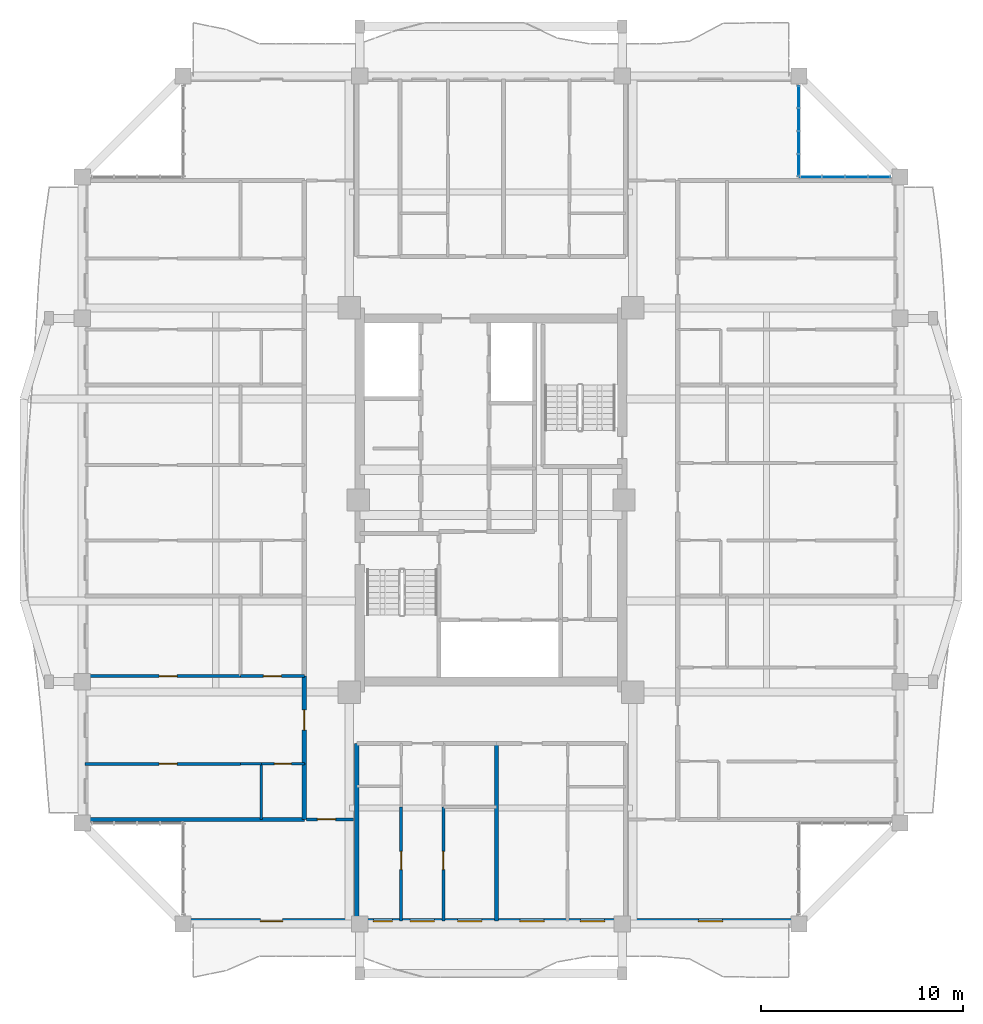
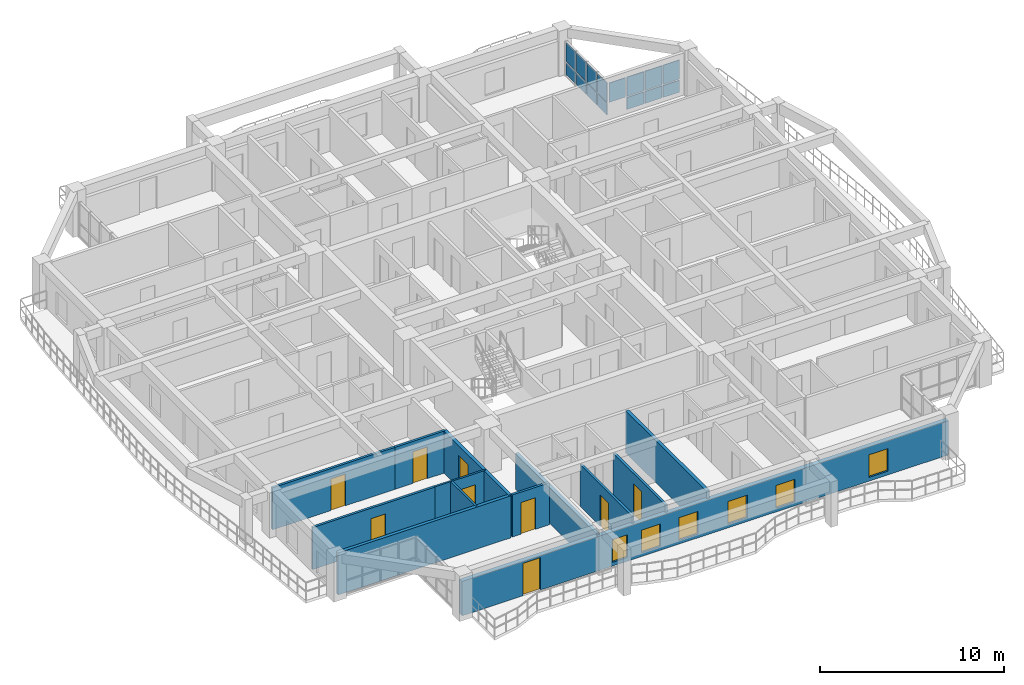
# One storey, part 10 of 22: 15 plates, 15 walls, 9 doors, 6 windows, 15 openings, 2 elements without a shape of their own.
"""IFC4 building model written with IfcOpenShell, lengths in metres."""

from ifc_helpers import new_model, si_unit, direction, frame, frame_2d, origin, origin_2d, place, context, subcontext, project, spatial, rectangle, extrude, source, transform, mapped, material, layer, layer_set, type_object, element, fill, aggregate, save


model = new_model("IFC4")

# Units and contexts
model_context = context("Model", 3, precision=1e-05, world=origin(), true_north=direction((0.0, 1.0)))
body_context = subcontext(model_context, "Body", "Model", "MODEL_VIEW")
ifc_project = project(units=[si_unit("LENGTHUNIT", "METRE"), si_unit("AREAUNIT", "SQUARE_METRE"), si_unit("VOLUMEUNIT", "CUBIC_METRE"), si_unit("PLANEANGLEUNIT", "RADIAN"), si_unit("MASSUNIT", "GRAM", prefix="KILO")], contexts=[model_context])

# Site, building, storey
site_placement = place(None, origin())
site = spatial("IfcSite", under=ifc_project, at=site_placement, CompositionType="ELEMENT")
building_placement = place(site_placement, origin())
building = spatial("IfcBuilding", under=site, at=building_placement, Name="Saelheon Loggia Tower", CompositionType="ELEMENT")
storey_placement = place(building_placement, frame((0.0, 0.0, 176.800048828125)))
storey = spatial("IfcBuildingStorey", under=building, at=storey_placement, Name="L55", CompositionType="ELEMENT", Elevation=176.800048828125)

# Curtain wall, plates
ifc_material_1 = material(Name="High-Wind Aluminium and Triple Laminated Glass", Category="aluminium")
ifc_layer_1 = layer(ifc_material_1, 0.179931640625)
ifc_layer_set_1 = layer_set([ifc_layer_1], Name="High-Wind Aluminium and Triple Laminated Glass")
curtain_wall_type = type_object("IfcCurtainWallType", Name="CW_TowerLoggiaHigh", PredefinedType="NOTDEFINED", material=ifc_layer_set_1)
curtain_wall_1_placement = place(storey_placement, origin())
curtain_wall_1 = element("IfcCurtainWall", 1, at=curtain_wall_1_placement, inside=storey, type_object=curtain_wall_type, Name="L55 Corner Notch Glazing NE1", PredefinedType="NOTDEFINED")
ifc_material_2 = material(Name="Triple Low-E Laminated Glazing", Category="glass")
ifc_layer_2 = layer(ifc_material_2, 0.0439453125)
ifc_layer_set_2 = layer_set([ifc_layer_2], Name="Triple Low-E Laminated Glazing")
plate_type = type_object("IfcPlateType", Name="CW_TowerLoggiaHigh_Panel", PredefinedType="CURTAIN_PANEL", material=ifc_layer_set_2)
shared_shape_1 = source(origin(), body_context, "Body", "SweptSolid", [
    extrude(rectangle(XDim=1.034912109375, YDim=0.0439453125, at=origin_2d()), origin(), (0.0, 0.0, 1.0), 0.794921875),
])
plate_1_placement = place(storey_placement, frame((53.25, 43.58740234375, 0.070068359375), z_axis=(0.0, 0.0, 1.0), x_axis=(0.0, 1.0, 0.0)))
plate_1 = element("IfcPlate", 2, at=plate_1_placement, type_object=plate_type, Name="CW4 panel 1.1", PredefinedType="CURTAIN_PANEL", context=body_context, shape_type="MappedRepresentation", body=[
    mapped(shared_shape_1, transform((0.0, 0.0, 0.0), scale=1.0)),
])
plate_2_placement = place(storey_placement, frame((53.25, 46.972412109375, 0.070068359375), z_axis=(0.0, 0.0, 1.0), x_axis=(0.0, 1.0, 0.0)))
plate_2 = element("IfcPlate", 3, at=plate_2_placement, type_object=plate_type, Name="CW4 panel 4.1", PredefinedType="CURTAIN_PANEL", context=body_context, shape_type="MappedRepresentation", body=[
    mapped(shared_shape_1, transform((0.0, 0.0, 0.0), scale=1.0)),
])

# Curtain wall, plate
curtain_wall_2_placement = place(storey_placement, origin())
curtain_wall_2 = element("IfcCurtainWall", 4, at=curtain_wall_2_placement, inside=storey, type_object=curtain_wall_type, Name="L55 Corner Notch Glazing NE2", PredefinedType="NOTDEFINED")
plate_3_placement = place(storey_placement, frame((57.222412109375, 43.0, 0.070068359375), z_axis=(0.0, 0.0, 1.0), x_axis=(1.0, 0.0, 0.0)))
plate_3 = element("IfcPlate", 5, at=plate_3_placement, type_object=plate_type, Name="CW4 panel 4.1", PredefinedType="CURTAIN_PANEL", context=body_context, shape_type="MappedRepresentation", body=[
    mapped(shared_shape_1, transform((0.0, 0.0, 0.0), scale=1.0)),
])

# Plate
shared_shape_2 = source(origin(), body_context, "Body", "SweptSolid", [
    extrude(rectangle(XDim=1.034912109375, YDim=0.0439453125, at=origin_2d()), origin(), (0.0, 0.0, 1.0), 1.27490234375),
])
plate_4_placement = place(storey_placement, frame((53.25, 43.58740234375, 0.93505859375), z_axis=(0.0, 0.0, 1.0), x_axis=(0.0, 1.0, 0.0)))
plate_4 = element("IfcPlate", 6, at=plate_4_placement, type_object=plate_type, Name="CW4 panel 1.2", PredefinedType="CURTAIN_PANEL", context=body_context, shape_type="MappedRepresentation", body=[
    mapped(shared_shape_2, transform((0.0, 0.0, 0.0), scale=1.0)),
])

plate_5_placement = place(storey_placement, frame((53.25, 46.972412109375, 0.93505859375), z_axis=(0.0, 0.0, 1.0), x_axis=(0.0, 1.0, 0.0)))
plate_5 = element("IfcPlate", 7, at=plate_5_placement, type_object=plate_type, Name="CW4 panel 4.2", PredefinedType="CURTAIN_PANEL", context=body_context, shape_type="MappedRepresentation", body=[
    mapped(shared_shape_2, transform((0.0, 0.0, 0.0), scale=1.0)),
])

plate_6_placement = place(storey_placement, frame((53.83740234375, 43.0, 0.93505859375), z_axis=(0.0, 0.0, 1.0), x_axis=(1.0, 0.0, 0.0)))
plate_6 = element("IfcPlate", 8, at=plate_6_placement, type_object=plate_type, Name="CW4 panel 1.2", PredefinedType="CURTAIN_PANEL", context=body_context, shape_type="MappedRepresentation", body=[
    mapped(shared_shape_2, transform((0.0, 0.0, 0.0), scale=1.0)),
])

plate_7_placement = place(storey_placement, frame((57.222412109375, 43.0, 0.93505859375), z_axis=(0.0, 0.0, 1.0), x_axis=(1.0, 0.0, 0.0)))
plate_7 = element("IfcPlate", 9, at=plate_7_placement, type_object=plate_type, Name="CW4 panel 4.2", PredefinedType="CURTAIN_PANEL", context=body_context, shape_type="MappedRepresentation", body=[
    mapped(shared_shape_2, transform((0.0, 0.0, 0.0), scale=1.0)),
])

shared_shape_3 = source(origin(), body_context, "Body", "SweptSolid", [
    extrude(rectangle(XDim=1.070068359375, YDim=0.0439453125, at=origin_2d()), origin(), (0.0, 0.0, 1.0), 0.794921875),
])
plate_8_placement = place(storey_placement, frame((53.25, 44.7099609375, 0.070068359375), z_axis=(0.0, 0.0, 1.0), x_axis=(0.0, 1.0, 0.0)))
plate_8 = element("IfcPlate", 10, at=plate_8_placement, type_object=plate_type, Name="CW4 panel 2.1", PredefinedType="CURTAIN_PANEL", context=body_context, shape_type="MappedRepresentation", body=[
    mapped(shared_shape_3, transform((0.0, 0.0, 0.0), scale=1.0)),
])

plate_9_placement = place(storey_placement, frame((53.25, 45.85009765625, 0.070068359375), z_axis=(0.0, 0.0, 1.0), x_axis=(0.0, 1.0, 0.0)))
plate_9 = element("IfcPlate", 11, at=plate_9_placement, type_object=plate_type, Name="CW4 panel 3.1", PredefinedType="CURTAIN_PANEL", context=body_context, shape_type="MappedRepresentation", body=[
    mapped(shared_shape_3, transform((0.0, 0.0, 0.0), scale=1.0)),
])

plate_10_placement = place(storey_placement, frame((54.9599609375, 43.0, 0.070068359375), z_axis=(0.0, 0.0, 1.0), x_axis=(1.0, 0.0, 0.0)))
plate_10 = element("IfcPlate", 12, at=plate_10_placement, type_object=plate_type, Name="CW4 panel 2.1", PredefinedType="CURTAIN_PANEL", context=body_context, shape_type="MappedRepresentation", body=[
    mapped(shared_shape_3, transform((0.0, 0.0, 0.0), scale=1.0)),
])

plate_11_placement = place(storey_placement, frame((56.10009765625, 43.0, 0.070068359375), z_axis=(0.0, 0.0, 1.0), x_axis=(1.0, 0.0, 0.0)))
plate_11 = element("IfcPlate", 13, at=plate_11_placement, type_object=plate_type, Name="CW4 panel 3.1", PredefinedType="CURTAIN_PANEL", context=body_context, shape_type="MappedRepresentation", body=[
    mapped(shared_shape_3, transform((0.0, 0.0, 0.0), scale=1.0)),
])

shared_shape_4 = source(origin(), body_context, "Body", "SweptSolid", [
    extrude(rectangle(XDim=1.070068359375, YDim=0.0439453125, at=origin_2d()), origin(), (0.0, 0.0, 1.0), 1.27490234375),
])
plate_12_placement = place(storey_placement, frame((53.25, 44.7099609375, 0.93505859375), z_axis=(0.0, 0.0, 1.0), x_axis=(0.0, 1.0, 0.0)))
plate_12 = element("IfcPlate", 14, at=plate_12_placement, type_object=plate_type, Name="CW4 panel 2.2", PredefinedType="CURTAIN_PANEL", context=body_context, shape_type="MappedRepresentation", body=[
    mapped(shared_shape_4, transform((0.0, 0.0, 0.0), scale=1.0)),
])

plate_13_placement = place(storey_placement, frame((53.25, 45.85009765625, 0.93505859375), z_axis=(0.0, 0.0, 1.0), x_axis=(0.0, 1.0, 0.0)))
plate_13 = element("IfcPlate", 15, at=plate_13_placement, type_object=plate_type, Name="CW4 panel 3.2", PredefinedType="CURTAIN_PANEL", context=body_context, shape_type="MappedRepresentation", body=[
    mapped(shared_shape_4, transform((0.0, 0.0, 0.0), scale=1.0)),
])

aggregate(curtain_wall_1, [plate_1, plate_4, plate_8, plate_12, plate_9, plate_13, plate_2, plate_5])

plate_14_placement = place(storey_placement, frame((54.9599609375, 43.0, 0.93505859375), z_axis=(0.0, 0.0, 1.0), x_axis=(1.0, 0.0, 0.0)))
plate_14 = element("IfcPlate", 16, at=plate_14_placement, type_object=plate_type, Name="CW4 panel 2.2", PredefinedType="CURTAIN_PANEL", context=body_context, shape_type="MappedRepresentation", body=[
    mapped(shared_shape_4, transform((0.0, 0.0, 0.0), scale=1.0)),
])

plate_15_placement = place(storey_placement, frame((56.10009765625, 43.0, 0.93505859375), z_axis=(0.0, 0.0, 1.0), x_axis=(1.0, 0.0, 0.0)))
plate_15 = element("IfcPlate", 17, at=plate_15_placement, type_object=plate_type, Name="CW4 panel 3.2", PredefinedType="CURTAIN_PANEL", context=body_context, shape_type="MappedRepresentation", body=[
    mapped(shared_shape_4, transform((0.0, 0.0, 0.0), scale=1.0)),
])

aggregate(curtain_wall_2, [plate_6, plate_10, plate_14, plate_11, plate_15, plate_3, plate_7])

# Wall, openings, windows, door
ifc_material_3 = material(Name="Architectural Precast Concrete C40/50", Category="concrete")
ifc_layer_3 = layer(ifc_material_3, 0.280029296875)
ifc_layer_set_3 = layer_set([ifc_layer_3], Name="Architectural Precast Concrete C40/50")
wall_type_1 = type_object("IfcWallType", Name="Wall_Ext_Loggia_280", PredefinedType="SOLIDWALL", material=ifc_layer_set_3)
wall_1_placement = place(storey_placement, frame((22.75, 6.139892578125, 0.0), z_axis=(0.0, 0.0, 1.0), x_axis=(1.0, 0.0, 0.0)))
wall_1 = element("IfcWall", 18, at=wall_1_placement, inside=storey, type_object=wall_type_1, Name="L55 South Loggia Inner Wall", PredefinedType="SOLIDWALL", context=body_context, shape_type="SweptSolid", body=[
    extrude(rectangle(XDim=30.5, YDim=0.280029296875, at=frame_2d((15.25, 0.0))), origin(), (0.0, 0.0, 1.0), 2.280029296875),
])
opening_1_placement = place(wall_1_placement, frame((4.925048828125, 0.0, 0.0), z_axis=(0.0, 0.0, 1.0), x_axis=(-1.0, 0.0, 0.0)))
opening_1 = element("IfcOpeningElement", 19, at=opening_1_placement, cuts=wall_1, Name="Opening TD1", PredefinedType="OPENING", context=body_context, shape_type="SweptSolid", body=[
    extrude(rectangle(XDim=1.10009765625, YDim=2.14990234375, at=frame_2d((0.550048828125, 1.074951171875))), frame((0.0, 0.152099609375, 0.0), z_axis=(0.0, -1.0, 0.0), x_axis=(1.0, 0.0, 0.0)), (0.0, 0.0, 1.0), 0.303955078125),
])
opening_2_placement = place(wall_1_placement, frame((9.419921875, 0.0, 0.25)))
opening_2 = element("IfcOpeningElement", 20, at=opening_2_placement, cuts=wall_1, Name="Opening WN-04", PredefinedType="OPENING", context=body_context, shape_type="SweptSolid", body=[
    extrude(rectangle(XDim=0.949951171875, YDim=1.5, at=frame_2d((0.47509765625, 0.75))), frame((0.0, 0.152099609375, 0.0), z_axis=(0.0, -1.0, 0.0), x_axis=(1.0, 0.0, 0.0)), (0.0, 0.0, 1.0), 0.303955078125),
])
opening_3_placement = place(wall_1_placement, frame((11.243896484375, 0.0, 0.25)))
opening_3 = element("IfcOpeningElement", 21, at=opening_3_placement, cuts=wall_1, Name="Opening WN-03", PredefinedType="OPENING", context=body_context, shape_type="SweptSolid", body=[
    extrude(rectangle(XDim=1.199951171875, YDim=1.5, at=frame_2d((0.60009765625, 0.75))), frame((0.0, 0.152099609375, 0.0), z_axis=(0.0, -1.0, 0.0), x_axis=(1.0, 0.0, 0.0)), (0.0, 0.0, 1.0), 0.303955078125),
])
opening_4_placement = place(wall_1_placement, frame((13.60205078125, 0.0, 0.25)))
opening_4 = element("IfcOpeningElement", 22, at=opening_4_placement, cuts=wall_1, Name="Opening WN-03", PredefinedType="OPENING", context=body_context, shape_type="SweptSolid", body=[
    extrude(rectangle(XDim=1.199951171875, YDim=1.5, at=frame_2d((0.60009765625, 0.75))), frame((0.0, 0.152099609375, 0.0), z_axis=(0.0, -1.0, 0.0), x_axis=(1.0, 0.0, 0.0)), (0.0, 0.0, 1.0), 0.303955078125),
])
opening_5_placement = place(wall_1_placement, frame((16.68310546875, 0.0, 0.25)))
opening_5 = element("IfcOpeningElement", 23, at=opening_5_placement, cuts=wall_1, Name="Opening WN-03", PredefinedType="OPENING", context=body_context, shape_type="SweptSolid", body=[
    extrude(rectangle(XDim=1.199951171875, YDim=1.5, at=frame_2d((0.60009765625, 0.75))), frame((0.0, 0.152099609375, 0.0), z_axis=(0.0, -1.0, 0.0), x_axis=(1.0, 0.0, 0.0)), (0.0, 0.0, 1.0), 0.303955078125),
])
opening_6_placement = place(wall_1_placement, frame((19.679931640625, 0.0, 0.25)))
opening_6 = element("IfcOpeningElement", 24, at=opening_6_placement, cuts=wall_1, Name="Opening WN-03", PredefinedType="OPENING", context=body_context, shape_type="SweptSolid", body=[
    extrude(rectangle(XDim=1.199951171875, YDim=1.5, at=frame_2d((0.60009765625, 0.75))), frame((0.0, 0.152099609375, 0.0), z_axis=(0.0, -1.0, 0.0), x_axis=(1.0, 0.0, 0.0)), (0.0, 0.0, 1.0), 0.303955078125),
])
opening_7_placement = place(wall_1_placement, frame((25.52490234375, 0.0, 0.25)))
opening_7 = element("IfcOpeningElement", 25, at=opening_7_placement, cuts=wall_1, Name="Opening WN-03", PredefinedType="OPENING", context=body_context, shape_type="SweptSolid", body=[
    extrude(rectangle(XDim=1.199951171875, YDim=1.5, at=frame_2d((0.60009765625, 0.75))), frame((0.0, 0.152099609375, 0.0), z_axis=(0.0, -1.0, 0.0), x_axis=(1.0, 0.0, 0.0)), (0.0, 0.0, 1.0), 0.303955078125),
])
ifc_material_4 = material(Name="Thermal-Break Aluminium and Triple Low-E Glass", Category="aluminium")
window_type_1 = type_object("IfcWindowType", Name="Win_Bedroom_1200x1500", PartitioningType="SINGLE_PANEL", PredefinedType="WINDOW", material=ifc_material_4)
shared_shape_5 = source(origin(), body_context, "Body", "SweptSolid", [
    extrude(rectangle(XDim=1.199951171875, YDim=1.5, at=frame_2d((0.60009765625, 0.75))), frame((0.0, 0.030029296875, 0.0), z_axis=(0.0, -1.0, 0.0), x_axis=(1.0, 0.0, 0.0)), (0.0, 0.0, 1.0), 0.06005859375),
])
window_1_placement = place(opening_3_placement, origin())
window_1 = element("IfcWindow", 26, at=window_1_placement, inside=storey, type_object=window_type_1, Name="L55 S Dwelling Window 3", OverallHeight=1.5, OverallWidth=1.199951171875, PartitioningType="SINGLE_PANEL", PredefinedType="WINDOW", context=body_context, shape_type="MappedRepresentation", body=[
    mapped(shared_shape_5, transform((0.0, 0.0, 0.0), scale=1.0)),
])
fill(opening_3, window_1)
window_2_placement = place(opening_4_placement, origin())
window_2 = element("IfcWindow", 27, at=window_2_placement, inside=storey, type_object=window_type_1, Name="L55 S Dwelling Window 4", OverallHeight=1.5, OverallWidth=1.199951171875, PartitioningType="SINGLE_PANEL", PredefinedType="WINDOW", context=body_context, shape_type="MappedRepresentation", body=[
    mapped(shared_shape_5, transform((0.0, 0.0, 0.0), scale=1.0)),
])
fill(opening_4, window_2)
window_3_placement = place(opening_5_placement, origin())
window_3 = element("IfcWindow", 28, at=window_3_placement, inside=storey, type_object=window_type_1, Name="L55 S Dwelling Window 5", OverallHeight=1.5, OverallWidth=1.199951171875, PartitioningType="SINGLE_PANEL", PredefinedType="WINDOW", context=body_context, shape_type="MappedRepresentation", body=[
    mapped(shared_shape_5, transform((0.0, 0.0, 0.0), scale=1.0)),
])
fill(opening_5, window_3)
window_4_placement = place(opening_6_placement, origin())
window_4 = element("IfcWindow", 29, at=window_4_placement, inside=storey, type_object=window_type_1, Name="L55 S Dwelling Window 6", OverallHeight=1.5, OverallWidth=1.199951171875, PartitioningType="SINGLE_PANEL", PredefinedType="WINDOW", context=body_context, shape_type="MappedRepresentation", body=[
    mapped(shared_shape_5, transform((0.0, 0.0, 0.0), scale=1.0)),
])
fill(opening_6, window_4)
window_5_placement = place(opening_7_placement, origin())
window_5 = element("IfcWindow", 30, at=window_5_placement, inside=storey, type_object=window_type_1, Name="L55 S Dwelling Window 7", OverallHeight=1.5, OverallWidth=1.199951171875, PartitioningType="SINGLE_PANEL", PredefinedType="WINDOW", context=body_context, shape_type="MappedRepresentation", body=[
    mapped(shared_shape_5, transform((0.0, 0.0, 0.0), scale=1.0)),
])
fill(opening_7, window_5)
ifc_material_5 = material(Name="Thermal-Break Aluminium Glazed Door", Category="aluminium")
door_type_1 = type_object("IfcDoorType", Name="Door_Terrace_TD1", OperationType="NOTDEFINED", PredefinedType="DOOR", material=ifc_material_5)
shared_shape_6 = source(origin(), body_context, "Body", "SweptSolid", [
    extrude(rectangle(XDim=1.10009765625, YDim=2.14990234375, at=frame_2d((0.550048828125, 1.074951171875))), frame((0.0, 0.02490234375, 0.0), z_axis=(0.0, -1.0, 0.0), x_axis=(1.0, 0.0, 0.0)), (0.0, 0.0, 1.0), 0.050048828125),
])
door_1_placement = place(opening_1_placement, origin())
door_1 = element("IfcDoor", 31, at=door_1_placement, inside=storey, type_object=door_type_1, Name="L55 S Loggia Access Door", OperationType="SINGLE_SWING_LEFT", OverallHeight=2.14990234375, OverallWidth=1.10009765625, PredefinedType="DOOR", context=body_context, shape_type="MappedRepresentation", body=[
    mapped(shared_shape_6, transform((0.0, 0.0, 0.0), scale=1.0)),
])
fill(opening_1, door_1)
window_type_2 = type_object("IfcWindowType", Name="Win_Narrow_950x1500", PartitioningType="SINGLE_PANEL", PredefinedType="WINDOW", material=ifc_material_4)
shared_shape_7 = source(origin(), body_context, "Body", "SweptSolid", [
    extrude(rectangle(XDim=0.949951171875, YDim=1.5, at=frame_2d((0.47509765625, 0.75))), frame((0.0, 0.030029296875, 0.0), z_axis=(0.0, -1.0, 0.0), x_axis=(1.0, 0.0, 0.0)), (0.0, 0.0, 1.0), 0.06005859375),
])
window_6_placement = place(opening_2_placement, origin())
window_6 = element("IfcWindow", 32, at=window_6_placement, inside=storey, type_object=window_type_2, Name="L55 S Dwelling Window 2", OverallHeight=1.5, OverallWidth=0.949951171875, PartitioningType="SINGLE_PANEL", PredefinedType="WINDOW", context=body_context, shape_type="MappedRepresentation", body=[
    mapped(shared_shape_7, transform((0.0, 0.0, 0.0), scale=1.0)),
])
fill(opening_2, window_6)

# Wall, opening, door
ifc_material_6 = material(Name="Lightweight Autoclaved Aerated Concrete Block and Acoustic Gypsum", Category="concrete")
ifc_layer_4 = layer(ifc_material_6, 0.14990234375)
ifc_layer_set_4 = layer_set([ifc_layer_4], Name="Lightweight Autoclaved Aerated Concrete Block and Acoustic Gypsum")
wall_type_2 = type_object("IfcWallType", Name="Wall_Part_150", PredefinedType="PARTITIONING", material=ifc_layer_set_4)
wall_2_placement = place(storey_placement, frame((28.85009765625, 11.179931640625, 0.0), z_axis=(0.0, 0.0, 1.0), x_axis=(1.0, 0.0, 0.0)))
wall_2 = element("IfcWall", 33, at=wall_2_placement, inside=storey, type_object=wall_type_2, Name="PW-L55-CSW-H", PredefinedType="PARTITIONING", context=body_context, shape_type="SweptSolid", body=[
    extrude(rectangle(XDim=2.329833984375, YDim=0.14990234375, at=frame_2d((1.1650390625, 0.0))), origin(), (0.0, 0.0, 1.0), 2.7900390625),
])
opening_8_placement = place(wall_2_placement, frame((0.550048828125, 0.0, 0.0)))
opening_8 = element("IfcOpeningElement", 34, at=opening_8_placement, cuts=wall_2, Name="Opening D-IN2", PredefinedType="OPENING", context=body_context, shape_type="SweptSolid", body=[
    extrude(rectangle(XDim=0.89990234375, YDim=2.10009765625, at=frame_2d((0.449951171875, 1.050048828125))), frame((0.0, 0.0869140625, 0.0), z_axis=(0.0, -1.0, 0.0), x_axis=(1.0, 0.0, 0.0)), (0.0, 0.0, 1.0), 0.173828125),
])
ifc_material_7 = material(Name="Engineered Oak Flush Door", Category="timber")
door_type_2 = type_object("IfcDoorType", Name="Door_Int_900", OperationType="NOTDEFINED", PredefinedType="DOOR", material=ifc_material_7)
shared_shape_8 = source(origin(), body_context, "Body", "SweptSolid", [
    extrude(rectangle(XDim=0.89990234375, YDim=2.10009765625, at=frame_2d((0.449951171875, 1.050048828125))), frame((0.0, 0.02490234375, 0.0), z_axis=(0.0, -1.0, 0.0), x_axis=(1.0, 0.0, 0.0)), (0.0, 0.0, 1.0), 0.050048828125),
])
door_2_placement = place(opening_8_placement, origin())
door_2 = element("IfcDoor", 35, at=door_2_placement, inside=storey, type_object=door_type_2, Name="L55 Corner Home Office SW Door", OperationType="SINGLE_SWING_LEFT", OverallHeight=2.10009765625, OverallWidth=0.89990234375, PredefinedType="DOOR", context=body_context, shape_type="MappedRepresentation", body=[
    mapped(shared_shape_8, transform((0.0, 0.0, 0.0), scale=1.0)),
])
fill(opening_8, door_2)

wall_3_placement = place(storey_placement, frame((33.550048828125, 11.7900390625, 0.0), z_axis=(0.0, 0.0, 1.0), x_axis=(0.0, -1.0, 0.0)))
wall_3 = element("IfcWall", 36, at=wall_3_placement, inside=storey, type_object=wall_type_2, Name="L55 S Partition U10", PredefinedType="PARTITIONING", context=body_context, shape_type="SweptSolid", body=[
    extrude(rectangle(XDim=5.64013671875, YDim=0.14990234375, at=frame_2d((2.820068359375, 0.0))), origin(), (0.0, 0.0, 1.0), 2.7900390625),
])
opening_9_placement = place(wall_3_placement, frame((2.1923828125, 0.0, 0.0)))
opening_9 = element("IfcOpeningElement", 37, at=opening_9_placement, cuts=wall_3, Name="Opening D-IN2", PredefinedType="OPENING", context=body_context, shape_type="SweptSolid", body=[
    extrude(rectangle(XDim=0.89990234375, YDim=2.10009765625, at=frame_2d((0.449951171875, 1.050048828125))), frame((0.0, 0.0869140625, 0.0), z_axis=(0.0, -1.0, 0.0), x_axis=(1.0, 0.0, 0.0)), (0.0, 0.0, 1.0), 0.173828125),
])
door_3_placement = place(opening_9_placement, origin())
door_3 = element("IfcDoor", 38, at=door_3_placement, inside=storey, type_object=door_type_2, Name="Unit U01 Kitchen Door", OperationType="SINGLE_SWING_LEFT", OverallHeight=2.10009765625, OverallWidth=0.89990234375, PredefinedType="DOOR", context=body_context, shape_type="MappedRepresentation", body=[
    mapped(shared_shape_8, transform((0.0, 0.0, 0.0), scale=1.0)),
])
fill(opening_9, door_3)

wall_4_placement = place(storey_placement, frame((35.637939453125, 11.7900390625, 0.0), z_axis=(0.0, 0.0, 1.0), x_axis=(0.0, -1.0, 0.0)))
wall_4 = element("IfcWall", 39, at=wall_4_placement, inside=storey, type_object=wall_type_2, Name="L55 S Partition U12", PredefinedType="PARTITIONING", context=body_context, shape_type="SweptSolid", body=[
    extrude(rectangle(XDim=5.64013671875, YDim=0.14990234375, at=frame_2d((2.820068359375, 0.0))), origin(), (0.0, 0.0, 1.0), 2.7900390625),
])
opening_10_placement = place(wall_4_placement, frame((2.1923828125, 0.0, 0.0)))
opening_10 = element("IfcOpeningElement", 40, at=opening_10_placement, cuts=wall_4, Name="Opening D-IN2", PredefinedType="OPENING", context=body_context, shape_type="SweptSolid", body=[
    extrude(rectangle(XDim=0.89990234375, YDim=2.10009765625, at=frame_2d((0.449951171875, 1.050048828125))), frame((0.0, 0.0869140625, 0.0), z_axis=(0.0, -1.0, 0.0), x_axis=(1.0, 0.0, 0.0)), (0.0, 0.0, 1.0), 0.173828125),
])
door_4_placement = place(opening_10_placement, origin())
door_4 = element("IfcDoor", 41, at=door_4_placement, inside=storey, type_object=door_type_2, Name="Unit U01 Bedroom 1 Door", OperationType="SINGLE_SWING_LEFT", OverallHeight=2.10009765625, OverallWidth=0.89990234375, PredefinedType="DOOR", context=body_context, shape_type="MappedRepresentation", body=[
    mapped(shared_shape_8, transform((0.0, 0.0, 0.0), scale=1.0)),
])
fill(opening_10, door_4)

wall_5_placement = place(storey_placement, frame((25.590087890625, 13.929931640625, 0.0), z_axis=(0.0, 0.0, 1.0), x_axis=(-1.0, 0.0, 0.0)))
wall_5 = element("IfcWall", 42, at=wall_5_placement, inside=storey, type_object=wall_type_2, Name="L55 W Partition U10", PredefinedType="PARTITIONING", context=body_context, shape_type="SweptSolid", body=[
    extrude(rectangle(XDim=7.690185546875, YDim=0.14990234375, at=frame_2d((3.84521484375, 0.0))), origin(), (0.0, 0.0, 1.0), 2.7900390625),
])
opening_11_placement = place(wall_5_placement, frame((3.132080078125, 0.0, 0.0)))
opening_11 = element("IfcOpeningElement", 43, at=opening_11_placement, cuts=wall_5, Name="Opening D-IN2", PredefinedType="OPENING", context=body_context, shape_type="SweptSolid", body=[
    extrude(rectangle(XDim=0.89990234375, YDim=2.10009765625, at=frame_2d((0.449951171875, 1.050048828125))), frame((0.0, 0.0869140625, 0.0), z_axis=(0.0, -1.0, 0.0), x_axis=(1.0, 0.0, 0.0)), (0.0, 0.0, 1.0), 0.173828125),
])
door_5_placement = place(opening_11_placement, origin())
door_5 = element("IfcDoor", 44, at=door_5_placement, inside=storey, type_object=door_type_2, Name="Unit U05 Kitchen Door", OperationType="SINGLE_SWING_RIGHT", OverallHeight=2.10009765625, OverallWidth=0.89990234375, PredefinedType="DOOR", context=body_context, shape_type="MappedRepresentation", body=[
    mapped(shared_shape_8, transform((0.0, 0.0, 0.0), scale=1.0)),
])
fill(opening_11, door_5)

wall_6_placement = place(storey_placement, frame((28.75, 18.280029296875, 0.0), z_axis=(0.0, 0.0, 1.0), x_axis=(-1.0, 0.0, 0.0)))
wall_6 = element("IfcWall", 45, at=wall_6_placement, inside=storey, type_object=wall_type_2, Name="L55 W Partition U11", PredefinedType="PARTITIONING", context=body_context, shape_type="SweptSolid", body=[
    extrude(rectangle(XDim=3.159912109375, YDim=0.14990234375, at=frame_2d((1.580078125, 0.0))), origin(), (0.0, 0.0, 1.0), 2.7900390625),
])
opening_12_placement = place(wall_6_placement, frame((1.1298828125, 0.0, 0.0)))
opening_12 = element("IfcOpeningElement", 46, at=opening_12_placement, cuts=wall_6, Name="Opening D-IN2", PredefinedType="OPENING", context=body_context, shape_type="SweptSolid", body=[
    extrude(rectangle(XDim=0.89990234375, YDim=2.10009765625, at=frame_2d((0.449951171875, 1.050048828125))), frame((0.0, 0.0869140625, 0.0), z_axis=(0.0, -1.0, 0.0), x_axis=(1.0, 0.0, 0.0)), (0.0, 0.0, 1.0), 0.173828125),
])
door_6_placement = place(opening_12_placement, origin())
door_6 = element("IfcDoor", 47, at=door_6_placement, inside=storey, type_object=door_type_2, Name="Unit U05 Home Office Door", OperationType="SINGLE_SWING_LEFT", OverallHeight=2.10009765625, OverallWidth=0.89990234375, PredefinedType="DOOR", context=body_context, shape_type="MappedRepresentation", body=[
    mapped(shared_shape_8, transform((0.0, 0.0, 0.0), scale=1.0)),
])
fill(opening_12, door_6)

wall_7_placement = place(storey_placement, frame((25.590087890625, 18.280029296875, 0.0), z_axis=(0.0, 0.0, 1.0), x_axis=(-1.0, 0.0, 0.0)))
wall_7 = element("IfcWall", 48, at=wall_7_placement, inside=storey, type_object=wall_type_2, Name="L55 W Partition U12", PredefinedType="PARTITIONING", context=body_context, shape_type="SweptSolid", body=[
    extrude(rectangle(XDim=7.690185546875, YDim=0.14990234375, at=frame_2d((3.84521484375, 0.0))), origin(), (0.0, 0.0, 1.0), 2.7900390625),
])
opening_13_placement = place(wall_7_placement, frame((3.132080078125, 0.0, 0.0)))
opening_13 = element("IfcOpeningElement", 49, at=opening_13_placement, cuts=wall_7, Name="Opening D-IN2", PredefinedType="OPENING", context=body_context, shape_type="SweptSolid", body=[
    extrude(rectangle(XDim=0.89990234375, YDim=2.10009765625, at=frame_2d((0.449951171875, 1.050048828125))), frame((0.0, 0.0869140625, 0.0), z_axis=(0.0, -1.0, 0.0), x_axis=(1.0, 0.0, 0.0)), (0.0, 0.0, 1.0), 0.173828125),
])
door_7_placement = place(opening_13_placement, origin())
door_7 = element("IfcDoor", 50, at=door_7_placement, inside=storey, type_object=door_type_2, Name="Unit U05 Bedroom 1 Door", OperationType="SINGLE_SWING_RIGHT", OverallHeight=2.10009765625, OverallWidth=0.89990234375, PredefinedType="DOOR", context=body_context, shape_type="MappedRepresentation", body=[
    mapped(shared_shape_8, transform((0.0, 0.0, 0.0), scale=1.0)),
])
fill(opening_13, door_7)

# Walls
ifc_material_8 = material(Name="Double Acoustic Stud and Fireboard Partition", Category="gypsum")
ifc_layer_5 = layer(ifc_material_8, 0.199951171875)
ifc_layer_set_5 = layer_set([ifc_layer_5], Name="Double Acoustic Stud and Fireboard Partition")
wall_type_3 = type_object("IfcWallType", Name="Wall_Party_200", PredefinedType="PARTITIONING", material=ifc_layer_set_5)
wall_8_placement = place(storey_placement, frame((31.35009765625, 14.949951171875, 0.0), z_axis=(0.0, 0.0, 1.0), x_axis=(0.0, -1.0, 0.0)))
element("IfcWall", 51, at=wall_8_placement, inside=storey, type_object=wall_type_3, Name="L55 S Partition U01", PredefinedType="PARTITIONING", context=body_context, shape_type="SweptSolid", body=[
    extrude(rectangle(XDim=8.800048828125, YDim=0.199951171875, at=frame_2d((4.39990234375, 0.0))), origin(), (0.0, 0.0, 1.0), 2.389892578125),
])
wall_9_placement = place(storey_placement, frame((38.26611328125, 14.949951171875, 0.0), z_axis=(0.0, 0.0, 1.0), x_axis=(0.0, -1.0, 0.0)))
element("IfcWall", 52, at=wall_9_placement, inside=storey, type_object=wall_type_3, Name="L55 S Partition U13", PredefinedType="PARTITIONING", context=body_context, shape_type="SweptSolid", body=[
    extrude(rectangle(XDim=8.800048828125, YDim=0.199951171875, at=frame_2d((4.39990234375, 0.0))), origin(), (0.0, 0.0, 1.0), 2.7900390625),
])
wall_10_placement = place(storey_placement, frame((28.75, 11.179931640625, 0.0), z_axis=(0.0, 0.0, 1.0), x_axis=(-1.0, 0.0, 0.0)))
element("IfcWall", 53, at=wall_10_placement, inside=storey, type_object=wall_type_3, Name="L55 W Partition U01", PredefinedType="PARTITIONING", context=body_context, shape_type="SweptSolid", body=[
    extrude(rectangle(XDim=10.85009765625, YDim=0.199951171875, at=frame_2d((5.425048828125, 0.0))), origin(), (0.0, 0.0, 1.0), 2.7900390625),
])
wall_11_placement = place(storey_placement, frame((28.75, 11.179931640625, 0.0), z_axis=(0.0, 0.0, 1.0), x_axis=(0.0, 1.0, 0.0)))
element("IfcWall", 54, at=wall_11_placement, inside=storey, type_object=wall_type_3, Name="L55 W Partition V03", PredefinedType="PARTITIONING", context=body_context, shape_type="SweptSolid", body=[
    extrude(rectangle(XDim=2.75, YDim=0.199951171875, at=frame_2d((1.375, 0.0))), origin(), (0.0, 0.0, 1.0), 2.7900390625),
])

# Wall, opening, door
wall_12_placement = place(storey_placement, frame((28.75, 13.929931640625, 0.0), z_axis=(0.0, 0.0, 1.0), x_axis=(0.0, 1.0, 0.0)))
wall_12 = element("IfcWall", 55, at=wall_12_placement, inside=storey, type_object=wall_type_3, Name="L55 W Partition V04", PredefinedType="PARTITIONING", context=body_context, shape_type="SweptSolid", body=[
    extrude(rectangle(XDim=4.35009765625, YDim=0.199951171875, at=frame_2d((2.175048828125, 0.0))), origin(), (0.0, 0.0, 1.0), 2.7900390625),
])
opening_14_placement = place(wall_12_placement, frame((1.675048828125, 0.0, 0.0)))
opening_14 = element("IfcOpeningElement", 56, at=opening_14_placement, cuts=wall_12, Name="Opening D-FD1", PredefinedType="OPENING", context=body_context, shape_type="SweptSolid", body=[
    extrude(rectangle(XDim=1.0, YDim=2.14990234375, at=frame_2d((0.5, 1.074951171875))), frame((0.0, 0.112060546875, 0.0), z_axis=(0.0, -1.0, 0.0), x_axis=(1.0, 0.0, 0.0)), (0.0, 0.0, 1.0), 0.223876953125),
])
ifc_material_9 = material(Name="Fire-Rated Engineered Timber Entrance Door", Category="wood")
door_type_3 = type_object("IfcDoorType", Name="Door_Flat_FD30S", OperationType="NOTDEFINED", PredefinedType="DOOR", material=ifc_material_9)
shared_shape_9 = source(origin(), body_context, "Body", "SweptSolid", [
    extrude(rectangle(XDim=1.0, YDim=2.14990234375, at=frame_2d((0.5, 1.074951171875))), frame((0.0, 0.02490234375, 0.0), z_axis=(0.0, -1.0, 0.0), x_axis=(1.0, 0.0, 0.0)), (0.0, 0.0, 1.0), 0.050048828125),
])
door_8_placement = place(opening_14_placement, origin())
door_8 = element("IfcDoor", 57, at=door_8_placement, inside=storey, type_object=door_type_3, Name="Unit U05 Entrance Door", OperationType="SINGLE_SWING_RIGHT", OverallHeight=2.14990234375, OverallWidth=1.0, PredefinedType="DOOR", context=body_context, shape_type="MappedRepresentation", body=[
    mapped(shared_shape_9, transform((0.0, 0.0, 0.0), scale=1.0)),
])
fill(opening_14, door_8)

# Wall
ifc_material_10 = material(Name="Moisture-Resistant Cement Board Partition", Category="gypsum")
ifc_layer_6 = layer(ifc_material_10, 0.1201171875)
ifc_layer_set_6 = layer_set([ifc_layer_6], Name="Moisture-Resistant Cement Board Partition")
wall_type_4 = type_object("IfcWallType", Name="Wall_WetPart_120", PredefinedType="PARTITIONING", material=ifc_layer_set_6)
wall_13_placement = place(storey_placement, frame((26.6298828125, 11.179931640625, 0.0), z_axis=(0.0, 0.0, 1.0), x_axis=(0.0, 1.0, 0.0)))
element("IfcWall", 58, at=wall_13_placement, inside=storey, type_object=wall_type_4, Name="L55 W Partition V06", PredefinedType="PARTITIONING", context=body_context, shape_type="SweptSolid", body=[
    extrude(rectangle(XDim=2.75, YDim=0.1201171875, at=frame_2d((1.375, 0.0))), origin(), (0.0, 0.0, 1.0), 2.7900390625),
])

# Wall, opening, door
wall_14_placement = place(storey_placement, frame((28.75, 13.929931640625, 0.0), z_axis=(0.0, 0.0, 1.0), x_axis=(-1.0, 0.0, 0.0)))
wall_14 = element("IfcWall", 59, at=wall_14_placement, inside=storey, type_object=wall_type_4, Name="L55 W Partition U08", PredefinedType="PARTITIONING", context=body_context, shape_type="SweptSolid", body=[
    extrude(rectangle(XDim=2.1201171875, YDim=0.1201171875, at=frame_2d((1.06005859375, 0.0))), origin(), (0.0, 0.0, 1.0), 2.7900390625),
])
opening_15_placement = place(wall_14_placement, frame((0.635009765625, 0.0, 0.0)))
opening_15 = element("IfcOpeningElement", 60, at=opening_15_placement, cuts=wall_14, Name="Opening D-BT1", PredefinedType="OPENING", context=body_context, shape_type="SweptSolid", body=[
    extrude(rectangle(XDim=0.85009765625, YDim=2.050048828125, at=frame_2d((0.425048828125, 1.02490234375))), frame((0.0, 0.072021484375, 0.0), z_axis=(0.0, -1.0, 0.0), x_axis=(1.0, 0.0, 0.0)), (0.0, 0.0, 1.0), 0.14404296875),
])
ifc_material_11 = material(Name="Moisture-Resistant Laminate Timber Door", Category="wood")
door_type_4 = type_object("IfcDoorType", Name="Door_Bath_850", OperationType="NOTDEFINED", PredefinedType="DOOR", material=ifc_material_11)
shared_shape_10 = source(origin(), body_context, "Body", "SweptSolid", [
    extrude(rectangle(XDim=0.85009765625, YDim=2.050048828125, at=frame_2d((0.425048828125, 1.02490234375))), frame((0.0, 0.02490234375, 0.0), z_axis=(0.0, -1.0, 0.0), x_axis=(1.0, 0.0, 0.0)), (0.0, 0.0, 1.0), 0.050048828125),
])
door_9_placement = place(opening_15_placement, origin())
door_9 = element("IfcDoor", 61, at=door_9_placement, inside=storey, type_object=door_type_4, Name="Unit U05 Bathroom Door", OperationType="SINGLE_SWING_LEFT", OverallHeight=2.050048828125, OverallWidth=0.85009765625, PredefinedType="DOOR", context=body_context, shape_type="MappedRepresentation", body=[
    mapped(shared_shape_10, transform((0.0, 0.0, 0.0), scale=1.0)),
])
fill(opening_15, door_9)

# Wall
wall_15_placement = place(storey_placement, frame((26.6298828125, 13.929931640625, 0.0), z_axis=(0.0, 0.0, 1.0), x_axis=(-1.0, 0.0, 0.0)))
element("IfcWall", 62, at=wall_15_placement, inside=storey, type_object=wall_type_4, Name="L55 W Partition U09", PredefinedType="PARTITIONING", context=body_context, shape_type="SweptSolid", body=[
    extrude(rectangle(XDim=1.039794921875, YDim=0.1201171875, at=frame_2d((0.52001953125, 0.0))), origin(), (0.0, 0.0, 1.0), 2.7900390625),
])

save(model, "model.ifc")
